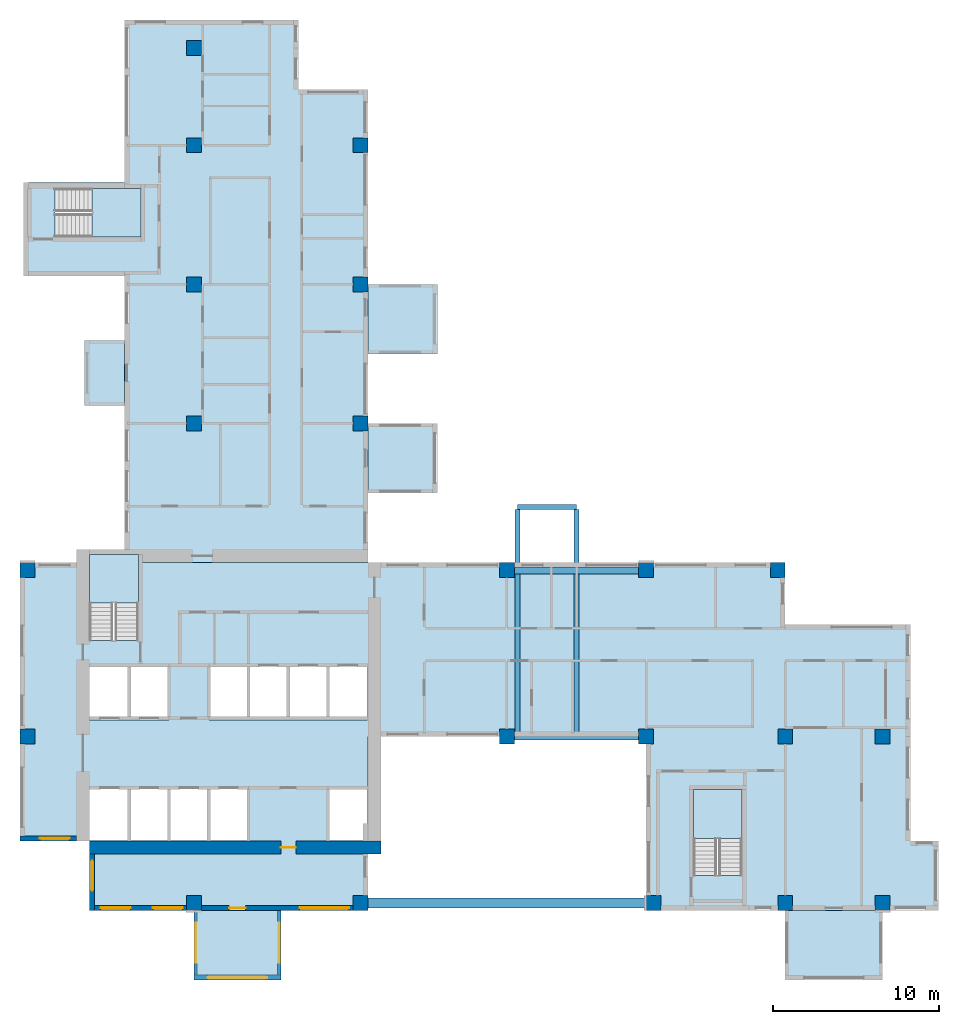
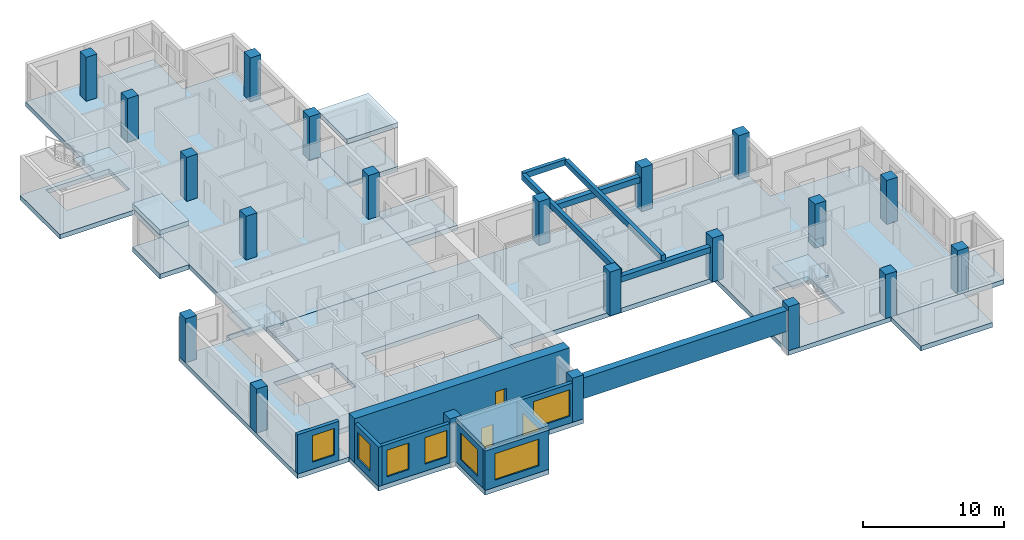
# One storey, part 1 of 11: 21 columns, 13 slabs, 8 walls, 8 windows, 6 beams, 2 doors, 10 openings, 3 elements without a shape of their own.
"""IFC4 building model written with IfcOpenShell, lengths in metres."""

from ifc_helpers import new_model, si_unit, direction, frame, frame_2d, origin, origin_2d, place, context, subcontext, project, spatial, polyline, rectangle, outline, extrude, source, transform, mapped, material, layer, layer_set, material_profile, profile_set, type_object, element, fill, aggregate, save


model = new_model("IFC4")

# Units and contexts
model_context = context("Model", 3, precision=1e-05, world=origin(), true_north=direction((0.0, 1.0)))
body_context = subcontext(model_context, "Body", "Model", "MODEL_VIEW")
ifc_project = project(units=[si_unit("LENGTHUNIT", "METRE"), si_unit("AREAUNIT", "SQUARE_METRE"), si_unit("VOLUMEUNIT", "CUBIC_METRE"), si_unit("PLANEANGLEUNIT", "RADIAN"), si_unit("MASSUNIT", "GRAM", prefix="KILO")], contexts=[model_context])

# Site, building, storey
site_placement = place(None, origin())
site = spatial("IfcSite", under=ifc_project, at=site_placement, CompositionType="ELEMENT")
building_placement = place(site_placement, origin())
building = spatial("IfcBuilding", under=site, at=building_placement, Name="Aurelian Terraces", CompositionType="ELEMENT")
storey_placement = place(building_placement, frame((0.0, 0.0, 212.0)))
storey = spatial("IfcBuildingStorey", under=building, at=storey_placement, Name="L47", CompositionType="ELEMENT", Elevation=212.0)

# Columns
ifc_material_1 = material(Name="Concrete fc' 70 MPa", Category="concrete")
ifc_material_profile_1 = material_profile(ifc_material_1, rectangle(XDim=0.9, YDim=0.9, at=origin_2d()))
ifc_profile_set_1 = profile_set([ifc_material_profile_1], Name="Concrete fc' 70 MPa")
column_type = type_object("IfcColumnType", Name="RC COLUMN 900X900 FC70", PredefinedType="COLUMN", material=ifc_profile_set_1)
shared_shape_1 = source(origin(), body_context, "Body", "SweptSolid", [
    extrude(rectangle(XDim=0.9, YDim=0.9, at=origin_2d()), origin(), (0.0, 0.0, 1.0), 3.8),
])
for number, where, z_axis, x_axis, name in (
    (1, (10.5, 0.45, 0.0), (0.0, 0.0, 1.0), (1.0, 0.0, 0.0), "Column 2/A L47"),
    (2, (20.55, 0.45, 0.0), (0.0, 0.0, 1.0), (1.0, 0.0, 0.0), "Column 3/A L47"),
    (3, (38.25, 0.45, 0.0), (0.0, 0.0, 1.0), (1.0, 0.0, 0.0), "Column 5/A L47"),
    (4, (46.2, 0.45, 0.0), (0.0, 0.0, 1.0), (1.0, 0.0, 0.0), "Column 6/A L47"),
    (5, (52.08, 0.45, 0.0), (0.0, 0.0, 1.0), (1.0, 0.0, 0.0), "Column 7/A L47"),
    (6, (0.45, 10.5, 0.0), (0.0, 0.0, 1.0), (1.0, 0.0, 0.0), "Column 1/B L47"),
    (7, (29.4, 10.5, 0.0), (0.0, 0.0, 1.0), (1.0, 0.0, 0.0), "Column 4/B L47"),
    (8, (37.8, 10.5, 0.0), (0.0, 0.0, 1.0), (1.0, 0.0, 0.0), "Column 5/B L47"),
    (9, (46.2, 10.5, 0.0), (0.0, 0.0, 1.0), (1.0, 0.0, 0.0), "Column 6/B L47"),
    (10, (52.08, 10.5, 0.0), (0.0, 0.0, 1.0), (1.0, 0.0, 0.0), "Column 7/B L47"),
    (11, (0.45, 20.55, 0.0), (0.0, 0.0, 1.0), (1.0, 0.0, 0.0), "Column 1/C L47"),
    (12, (29.4, 20.55, 0.0), (0.0, 0.0, 1.0), (1.0, 0.0, 0.0), "Column 4/C L47"),
    (13, (37.8, 20.55, 0.0), (0.0, 0.0, 1.0), (1.0, 0.0, 0.0), "Column 5/C L47"),
    (14, (45.75, 20.55, 0.0), (0.0, 0.0, 1.0), (1.0, 0.0, 0.0), "Column 6/C L47"),
    (15, (10.5, 29.4, 0.0), (0.0, 0.0, 1.0), (1.0, 0.0, 0.0), "Column 2/D L47"),
    (16, (20.55, 29.4, 0.0), (0.0, 0.0, 1.0), (1.0, 0.0, 0.0), "Column 3/D L47"),
    (17, (10.5, 37.8, 0.0), (0.0, 0.0, 1.0), (1.0, 0.0, 0.0), "Column 2/E L47"),
    (18, (20.55, 37.8, 0.0), (0.0, 0.0, 1.0), (1.0, 0.0, 0.0), "Column 3/E L47"),
    (19, (10.5, 46.2, 0.0), (0.0, 0.0, 1.0), (1.0, 0.0, 0.0), "Column 2/F L47"),
    (20, (20.55, 46.2, 0.0), (0.0, 0.0, 1.0), (1.0, 0.0, 0.0), "Column 3/F L47"),
    (21, (10.5, 52.08, 0.0), (0.0, 0.0, 1.0), (1.0, 0.0, 0.0), "Column 2/G L47"),
):
    element("IfcColumn", number, at=place(storey_placement, frame(where, z_axis=z_axis, x_axis=x_axis)), inside=storey, type_object=column_type, Name=name, PredefinedType="COLUMN", context=body_context, shape_type="MappedRepresentation", body=[
        mapped(shared_shape_1, transform((0.0, 0.0, 0.0), scale=1.0)),
    ])

# Beams
ifc_material_profile_2 = material_profile(ifc_material_1, rectangle(XDim=0.6, YDim=1.8, at=origin_2d()))
ifc_profile_set_2 = profile_set([ifc_material_profile_2], Name="Concrete fc' 70 MPa")
beam_type_1 = type_object("IfcBeamType", Name="CONCRETE HEAD GIRDER 600X1800", PredefinedType="BEAM", material=ifc_profile_set_2)
shared_shape_2 = source(origin(), body_context, "Body", "SweptSolid", [
    extrude(rectangle(XDim=0.6, YDim=1.8, at=origin_2d()), origin(), (0.0, 0.0, 1.0), 16.8),
])
beam_1_placement = place(storey_placement, frame((21.0, 0.45, 2.5), z_axis=(1.0, 0.0, 0.0), x_axis=(0.0, 1.0, 0.0)))
element("IfcBeam", 22, at=beam_1_placement, inside=storey, type_object=beam_type_1, Name="Sky terrace head girder SKY-07.1", PredefinedType="BEAM", context=body_context, shape_type="MappedRepresentation", body=[
    mapped(shared_shape_2, transform((0.0, 0.0, 0.0), scale=1.0)),
])
ifc_material_2 = material(Name="Concrete fc' 40 MPa", Category="concrete")
ifc_material_profile_3 = material_profile(ifc_material_2, rectangle(XDim=0.3, YDim=0.5, at=origin_2d()))
ifc_profile_set_3 = profile_set([ifc_material_profile_3], Name="Concrete fc' 40 MPa")
beam_type_2 = type_object("IfcBeamType", Name="CONCRETE CANTILEVER BEAM 300X500", PredefinedType="BEAM", material=ifc_profile_set_3)
shared_shape_3 = source(origin(), body_context, "Body", "SweptSolid", [
    extrude(rectangle(XDim=0.3, YDim=0.5, at=origin_2d()), origin(), (0.0, 0.0, 1.0), 13.7),
])
for number, where, z_axis, x_axis, name in (
    (23, (30.05, 24.2, 3.15), (0.0, -1.0, 0.0), (1.0, 0.0, 0.0), "Box cantilever beam J69.1"),
    (24, (33.6, 24.2, 3.15), (0.0, -1.0, 0.0), (1.0, 0.0, 0.0), "Box cantilever beam J69.2"),
):
    element("IfcBeam", number, at=place(storey_placement, frame(where, z_axis=z_axis, x_axis=x_axis)), inside=storey, type_object=beam_type_2, Name=name, PredefinedType="BEAM", context=body_context, shape_type="MappedRepresentation", body=[
        mapped(shared_shape_3, transform((0.0, 0.0, 0.0), scale=1.0)),
    ])
ifc_material_profile_4 = material_profile(ifc_material_2, rectangle(XDim=0.4, YDim=0.5, at=origin_2d()))
ifc_profile_set_4 = profile_set([ifc_material_profile_4], Name="Concrete fc' 40 MPa")
beam_type_3 = type_object("IfcBeamType", Name="CONCRETE EDGE GIRDER 400X500", PredefinedType="BEAM", material=ifc_profile_set_4)
shared_shape_4 = source(origin(), body_context, "Body", "SweptSolid", [
    extrude(rectangle(XDim=0.4, YDim=0.5, at=origin_2d()), origin(), (0.0, 0.0, 1.0), 7.5),
])
for number, where, z_axis, x_axis, name in (
    (25, (29.85, 20.5, 2.65), (1.0, 0.0, 0.0), (0.0, 1.0, 0.0), "Box girder L47 O138"),
    (26, (29.85, 10.5, 2.65), (1.0, 0.0, 0.0), (0.0, 1.0, 0.0), "Box girder L47 I139"),
):
    element("IfcBeam", number, at=place(storey_placement, frame(where, z_axis=z_axis, x_axis=x_axis)), inside=storey, type_object=beam_type_3, Name=name, PredefinedType="BEAM", context=body_context, shape_type="MappedRepresentation", body=[
        mapped(shared_shape_4, transform((0.0, 0.0, 0.0), scale=1.0)),
    ])
shared_shape_5 = source(origin(), body_context, "Body", "SweptSolid", [
    extrude(rectangle(XDim=0.3, YDim=0.5, at=origin_2d()), origin(), (0.0, 0.0, 1.0), 3.55),
])
beam_2_placement = place(storey_placement, frame((30.05, 24.35, 3.15), z_axis=(1.0, 0.0, 0.0), x_axis=(0.0, 1.0, 0.0)))
element("IfcBeam", 27, at=beam_2_placement, inside=storey, type_object=beam_type_2, Name="Box tip beam J69", PredefinedType="BEAM", context=body_context, shape_type="MappedRepresentation", body=[
    mapped(shared_shape_5, transform((0.0, 0.0, 0.0), scale=1.0)),
])

# Slabs
ifc_layer_1 = layer(ifc_material_2, 0.4)
ifc_layer_set_1 = layer_set([ifc_layer_1], Name="PT FLAT PLATE 400")
slab_type_1 = type_object("IfcSlabType", Name="PT FLAT PLATE 400", PredefinedType="FLOOR", material=ifc_layer_set_1)
shared_shape_6 = source(origin(), body_context, "Body", "SweptSolid", [
    extrude(outline(polyline([(6.3, 43.95), (6.3, 49.56), (6.3, 53.76), (10.5, 53.76), (16.8, 53.76), (16.8, 49.56), (21.0, 49.56), (21.0, 21.0), (7.14, 21.0), (7.14, 21.49), (4.21, 21.49), (4.21, 21.0), (4.2, 21.0), (4.2, 21.6), (6.3, 21.6), (6.3, 38.3), (0.2, 38.3), (0.2, 43.95), (6.3, 43.95)]), holes=[polyline([(7.29, 43.59), (2.11, 43.59), (2.11, 40.66), (7.29, 40.66), (7.29, 43.59)])]), origin(), (0.0, 0.0, 1.0), 0.4),
])
slab_1_placement = place(storey_placement, frame((0.0, 0.0, -0.4)))
element("IfcSlab", 28, at=slab_1_placement, inside=storey, type_object=slab_type_1, Name="Floor slab W L47", PredefinedType="FLOOR", context=body_context, shape_type="MappedRepresentation", body=[
    mapped(shared_shape_6, transform((0.0, 0.0, 0.0), scale=1.0)),
])
shared_shape_7 = source(origin(), body_context, "Body", "SweptSolid", [
    extrude(outline(polyline([(37.8, 10.5), (21.0, 10.5), (21.0, 0.0), (4.2, 0.0), (4.2, 4.2), (0.0, 4.2), (0.0, 21.0), (4.21, 21.0), (4.21, 16.31), (7.14, 16.31), (7.14, 21.0), (21.0, 21.0), (46.2, 21.0), (46.2, 17.25), (53.76, 17.25), (53.76, 4.2), (55.44, 4.2), (55.44, 0.0), (37.8, 0.0), (37.8, 10.5)]), holes=[polyline([(40.66, 2.11), (43.59, 2.11), (43.59, 7.29), (40.66, 7.29), (40.66, 2.11)]), polyline([(18.61, 7.49), (18.61, 4.21), (20.99, 4.21), (20.99, 7.49), (18.61, 7.49)]), polyline([(20.99, 14.89), (11.41, 14.89), (11.41, 11.51), (20.99, 11.51), (20.99, 14.89)]), polyline([(4.21, 7.49), (4.21, 4.21), (13.79, 4.21), (13.79, 7.49), (4.21, 7.49)]), polyline([(4.21, 14.89), (4.21, 11.51), (8.99, 11.51), (8.99, 14.89), (4.21, 14.89)])]), origin(), (0.0, 0.0, 1.0), 0.4),
])
slab_2_placement = place(storey_placement, frame((0.0, 0.0, -0.4)))
element("IfcSlab", 29, at=slab_2_placement, inside=storey, type_object=slab_type_1, Name="Floor slab S L47", PredefinedType="FLOOR", context=body_context, shape_type="MappedRepresentation", body=[
    mapped(shared_shape_7, transform((0.0, 0.0, 0.0), scale=1.0)),
])
ifc_layer_2 = layer(ifc_material_2, 0.41)
ifc_layer_set_2 = layer_set([ifc_layer_2], Name="Box floor 410")
slab_type_2 = type_object("IfcSlabType", Name="Box floor 410", PredefinedType="NOTDEFINED", material=ifc_layer_set_2)
shared_shape_8 = source(origin(), body_context, "Body", "SweptSolid", [
    extrude(outline(polyline([(46.2, -4.2), (52.08, -4.2), (52.08, 0.0), (46.2, 0.0), (46.2, -4.2)])), origin(), (0.0, 0.0, 1.0), 0.41),
])
slab_3_placement = place(storey_placement, frame((0.0, 0.0, -0.41)))
element("IfcSlab", 30, at=slab_3_placement, inside=storey, type_object=slab_type_2, Name="Box floor L47 J67", PredefinedType="NOTDEFINED", context=body_context, shape_type="MappedRepresentation", body=[
    mapped(shared_shape_8, transform((0.0, 0.0, 0.0), scale=1.0)),
])
shared_shape_9 = source(origin(), body_context, "Body", "SweptSolid", [
    extrude(outline(polyline([(25.2, 25.2), (25.2, 29.4), (21.0, 29.4), (21.0, 25.2), (25.2, 25.2)])), origin(), (0.0, 0.0, 1.0), 0.41),
])
slab_4_placement = place(storey_placement, frame((0.0, 0.0, -0.41)))
element("IfcSlab", 31, at=slab_4_placement, inside=storey, type_object=slab_type_2, Name="Box floor L47 J68", PredefinedType="NOTDEFINED", context=body_context, shape_type="MappedRepresentation", body=[
    mapped(shared_shape_9, transform((0.0, 0.0, 0.0), scale=1.0)),
])
shared_shape_10 = source(origin(), body_context, "Body", "SweptSolid", [
    extrude(outline(polyline([(25.2, 33.6), (25.2, 37.8), (21.0, 37.8), (21.0, 33.6), (25.2, 33.6)])), origin(), (0.0, 0.0, 1.0), 0.41),
])
slab_5_placement = place(storey_placement, frame((0.0, 0.0, -0.41)))
element("IfcSlab", 32, at=slab_5_placement, inside=storey, type_object=slab_type_2, Name="Box floor L47 J65", PredefinedType="NOTDEFINED", context=body_context, shape_type="MappedRepresentation", body=[
    mapped(shared_shape_10, transform((0.0, 0.0, 0.0), scale=1.0)),
])
ifc_layer_3 = layer(ifc_material_2, 0.4)
ifc_layer_set_3 = layer_set([ifc_layer_3], Name="Box roof 400")
slab_type_3 = type_object("IfcSlabType", Name="Box roof 400", PredefinedType="ROOF", material=ifc_layer_set_3)
shared_shape_11 = source(origin(), body_context, "Body", "SweptSolid", [
    extrude(outline(polyline([(25.2, 33.6), (25.2, 37.8), (21.0, 37.8), (21.0, 33.6), (25.2, 33.6)])), origin(), (0.0, 0.0, 1.0), 0.4),
])
slab_6_placement = place(storey_placement, frame((0.0, 0.0, 3.4)))
element("IfcSlab", 33, at=slab_6_placement, inside=storey, type_object=slab_type_3, Name="Box roof J65", PredefinedType="ROOF", context=body_context, shape_type="MappedRepresentation", body=[
    mapped(shared_shape_11, transform((0.0, 0.0, 0.0), scale=1.0)),
])
shared_shape_12 = source(origin(), body_context, "Body", "SweptSolid", [
    extrude(outline(polyline([(3.9, 34.4), (3.9, 30.5), (6.3, 30.5), (6.3, 34.4), (3.9, 34.4)])), origin(), (0.0, 0.0, 1.0), 0.41),
])
slab_7_placement = place(storey_placement, frame((0.0, 0.0, -0.41)))
element("IfcSlab", 34, at=slab_7_placement, inside=storey, type_object=slab_type_2, Name="Box floor L47 J66", PredefinedType="NOTDEFINED", context=body_context, shape_type="MappedRepresentation", body=[
    mapped(shared_shape_12, transform((0.0, 0.0, 0.0), scale=1.0)),
])
shared_shape_13 = source(origin(), body_context, "Body", "SweptSolid", [
    extrude(outline(polyline([(3.9, 34.4), (3.9, 30.5), (6.3, 30.5), (6.3, 34.4), (3.9, 34.4)])), origin(), (0.0, 0.0, 1.0), 0.4),
])
slab_8_placement = place(storey_placement, frame((0.0, 0.0, 3.4)))
element("IfcSlab", 35, at=slab_8_placement, inside=storey, type_object=slab_type_3, Name="Box roof J66", PredefinedType="ROOF", context=body_context, shape_type="MappedRepresentation", body=[
    mapped(shared_shape_13, transform((0.0, 0.0, 0.0), scale=1.0)),
])
shared_shape_14 = source(origin(), body_context, "Body", "SweptSolid", [
    extrude(outline(polyline([(10.5, -4.2), (15.75, -4.2), (15.75, 0.0), (10.5, 0.0), (10.5, -4.2)])), origin(), (0.0, 0.0, 1.0), 0.41),
])
slab_9_placement = place(storey_placement, frame((0.0, 0.0, -0.41)))
element("IfcSlab", 36, at=slab_9_placement, inside=storey, type_object=slab_type_2, Name="Box floor L47 J64", PredefinedType="NOTDEFINED", context=body_context, shape_type="MappedRepresentation", body=[
    mapped(shared_shape_14, transform((0.0, 0.0, 0.0), scale=1.0)),
])
shared_shape_15 = source(origin(), body_context, "Body", "SweptSolid", [
    extrude(outline(polyline([(10.5, -4.2), (15.75, -4.2), (15.75, 0.0), (10.5, 0.0), (10.5, -4.2)])), origin(), (0.0, 0.0, 1.0), 0.4),
])
slab_10_placement = place(storey_placement, frame((0.0, 0.0, 3.4)))
element("IfcSlab", 37, at=slab_10_placement, inside=storey, type_object=slab_type_3, Name="Box roof J64", PredefinedType="ROOF", context=body_context, shape_type="MappedRepresentation", body=[
    mapped(shared_shape_15, transform((0.0, 0.0, 0.0), scale=1.0)),
])

# Stair, slab
stair_type = type_object("IfcStairType", Name="Stair 1400", PredefinedType="HALF_TURN_STAIR", material=ifc_material_2)
stair_1_placement = place(storey_placement, origin())
stair_1 = element("IfcStair", 38, at=stair_1_placement, inside=storey, type_object=stair_type, Name="L47 S1", PredefinedType="HALF_TURN_STAIR")
ifc_layer_4 = layer(ifc_material_2, 0.2)
ifc_layer_set_4 = layer_set([ifc_layer_4], Name="Stair landing 200")
slab_type_4 = type_object("IfcSlabType", Name="Stair landing 200", PredefinedType="LANDING", material=ifc_layer_set_4)
shared_shape_16 = source(origin(), body_context, "Body", "SweptSolid", [
    extrude(outline(polyline([(7.15, 18.55), (7.15, 21.5), (4.2, 21.5), (4.2, 18.55), (7.15, 18.55)])), origin(), (0.0, 0.0, 1.0), 0.2),
])
slab_11_placement = place(storey_placement, frame((0.0, 0.0, 1.7)))
slab_11 = element("IfcSlab", 39, at=slab_11_placement, type_object=slab_type_4, Name="S1 landing 1", PredefinedType="LANDING", context=body_context, shape_type="MappedRepresentation", body=[
    mapped(shared_shape_16, transform((0.0, 0.0, 0.0), scale=1.0)),
])
aggregate(stair_1, [slab_11])

stair_2_placement = place(storey_placement, origin())
stair_2 = element("IfcStair", 40, at=stair_2_placement, inside=storey, type_object=stair_type, Name="L47 S2", PredefinedType="HALF_TURN_STAIR")
shared_shape_17 = source(origin(), body_context, "Body", "SweptSolid", [
    extrude(outline(polyline([(43.6, 4.35), (43.6, 7.3), (40.65, 7.3), (40.65, 4.35), (43.6, 4.35)])), origin(), (0.0, 0.0, 1.0), 0.2),
])
slab_12_placement = place(storey_placement, frame((0.0, 0.0, 1.7)))
slab_12 = element("IfcSlab", 41, at=slab_12_placement, type_object=slab_type_4, Name="S2 landing 1", PredefinedType="LANDING", context=body_context, shape_type="MappedRepresentation", body=[
    mapped(shared_shape_17, transform((0.0, 0.0, 0.0), scale=1.0)),
])
aggregate(stair_2, [slab_12])

stair_3_placement = place(storey_placement, origin())
stair_3 = element("IfcStair", 42, at=stair_3_placement, inside=storey, type_object=stair_type, Name="L47 S3", PredefinedType="HALF_TURN_STAIR")
shared_shape_18 = source(origin(), body_context, "Body", "SweptSolid", [
    extrude(outline(polyline([(4.35, 40.65), (7.3, 40.65), (7.3, 43.6), (4.35, 43.6), (4.35, 40.65)])), origin(), (0.0, 0.0, 1.0), 0.2),
])
slab_13_placement = place(storey_placement, frame((0.0, 0.0, 1.7)))
slab_13 = element("IfcSlab", 43, at=slab_13_placement, type_object=slab_type_4, Name="S3 landing 1", PredefinedType="LANDING", context=body_context, shape_type="MappedRepresentation", body=[
    mapped(shared_shape_18, transform((0.0, 0.0, 0.0), scale=1.0)),
])
aggregate(stair_3, [slab_13])

# Wall, opening, door
ifc_layer_5 = layer(ifc_material_1, 0.8)
ifc_layer_set_5 = layer_set([ifc_layer_5], Name="CORE WALL 800 FC70")
wall_type_1 = type_object("IfcWallType", Name="CORE WALL 800 FC70", PredefinedType="SHEAR", material=ifc_layer_set_5)
shared_shape_19 = source(origin(), body_context, "Body", "SweptSolid", [
    extrude(rectangle(XDim=17.6, YDim=0.8, at=frame_2d((8.8, 0.0))), origin(), (0.0, 0.0, 1.0), 3.8),
])
wall_1_placement = place(storey_placement, frame((4.2, 3.8, 0.0), z_axis=(0.0, 0.0, 1.0), x_axis=(1.0, 0.0, 0.0)))
wall_1 = element("IfcWall", 44, at=wall_1_placement, inside=storey, type_object=wall_type_1, Name="Core wall S L47", PredefinedType="SHEAR", context=body_context, shape_type="MappedRepresentation", body=[
    mapped(shared_shape_19, transform((0.0, 0.0, 0.0), scale=1.0)),
])
shared_shape_20 = source(origin(), body_context, "Body", "SweptSolid", [
    extrude(rectangle(XDim=0.9, YDim=2.1, at=frame_2d((0.45, 1.05))), frame((0.0, 0.41, 0.0), z_axis=(0.0, -1.0, 0.0), x_axis=(1.0, 0.0, 0.0)), (0.0, 0.0, 1.0), 0.82),
])
opening_1_placement = place(wall_1_placement, frame((11.55, 0.0, 0.0)))
opening_1 = element("IfcOpeningElement", 45, at=opening_1_placement, cuts=wall_1, Name="Opening 65024", PredefinedType="OPENING", context=body_context, shape_type="MappedRepresentation", body=[
    mapped(shared_shape_20, transform((0.0, 0.0, 0.0), scale=1.0)),
])
ifc_material_3 = material(Name="Steel door leaf", Category="steel")
door_type_1 = type_object("IfcDoorType", Name="Core service door 900x2100 right", OperationType="SINGLE_SWING_RIGHT", PredefinedType="DOOR", material=ifc_material_3)
shared_shape_21 = source(origin(), body_context, "Body", "SweptSolid", [
    extrude(rectangle(XDim=0.9, YDim=2.1, at=frame_2d((0.45, 1.05))), frame((0.0, 0.025, 0.0), z_axis=(0.0, -1.0, 0.0), x_axis=(1.0, 0.0, 0.0)), (0.0, 0.0, 1.0), 0.05),
])
door_1_placement = place(opening_1_placement, origin())
door_1 = element("IfcDoor", 46, at=door_1_placement, inside=storey, type_object=door_type_1, Name="Core door 65024", OperationType="SINGLE_SWING_RIGHT", OverallHeight=2.1, OverallWidth=0.9, PredefinedType="DOOR", context=body_context, shape_type="MappedRepresentation", body=[
    mapped(shared_shape_21, transform((0.0, 0.0, 0.0), scale=1.0)),
])
fill(opening_1, door_1)

# Wall, opening, window
ifc_material_4 = material(Name="Terracotta rainscreen cladding", Category="masonry")
ifc_layer_6 = layer(ifc_material_4, 0.3)
ifc_layer_set_6 = layer_set([ifc_layer_6], Name="EW-300")
wall_type_2 = type_object("IfcWallType", Name="EW-300", PredefinedType="STANDARD", material=ifc_layer_set_6)
shared_shape_22 = source(origin(), body_context, "Body", "SweptSolid", [
    extrude(rectangle(XDim=3.4, YDim=0.3, at=frame_2d((1.7, 0.0))), origin(), (0.0, 0.0, 1.0), 3.4),
])
wall_2_placement = place(storey_placement, frame((0.0, 4.35, 0.0), z_axis=(0.0, 0.0, 1.0), x_axis=(1.0, 0.0, 0.0)))
wall_2 = element("IfcWall", 47, at=wall_2_placement, inside=storey, type_object=wall_type_2, Name="External wall L47 F25.38", PredefinedType="STANDARD", context=body_context, shape_type="MappedRepresentation", body=[
    mapped(shared_shape_22, transform((0.0, 0.0, 0.0), scale=1.0)),
])
shared_shape_23 = source(origin(), body_context, "Body", "SweptSolid", [
    extrude(rectangle(XDim=1.8, YDim=2.3, at=frame_2d((0.9, 1.15))), frame((0.0, 0.16, 0.0), z_axis=(0.0, -1.0, 0.0), x_axis=(1.0, 0.0, 0.0)), (0.0, 0.0, 1.0), 0.32),
])
opening_2_placement = place(wall_2_placement, frame((1.2, 0.0, 0.6)))
opening_2 = element("IfcOpeningElement", 48, at=opening_2_placement, cuts=wall_2, Name="Opening W1823", PredefinedType="OPENING", context=body_context, shape_type="MappedRepresentation", body=[
    mapped(shared_shape_23, transform((0.0, 0.0, 0.0), scale=1.0)),
])
ifc_material_5 = material(Name="Clear glazing", Category="glass")
window_type_1 = type_object("IfcWindowType", Name="W-1800x2300", PartitioningType="SINGLE_PANEL", PredefinedType="WINDOW", material=ifc_material_5)
shared_shape_24 = source(origin(), body_context, "Body", "SweptSolid", [
    extrude(rectangle(XDim=1.8, YDim=2.3, at=frame_2d((0.9, 1.15))), frame((0.0, 0.03, 0.0), z_axis=(0.0, -1.0, 0.0), x_axis=(1.0, 0.0, 0.0)), (0.0, 0.0, 1.0), 0.06),
])
window_1_placement = place(opening_2_placement, origin())
window_1 = element("IfcWindow", 49, at=window_1_placement, inside=storey, type_object=window_type_1, Name="Window L47 L47-F25-38-0", OverallHeight=2.3, OverallWidth=1.8, PartitioningType="SINGLE_PANEL", PredefinedType="WINDOW", context=body_context, shape_type="MappedRepresentation", body=[
    mapped(shared_shape_24, transform((0.0, 0.0, 0.0), scale=1.0)),
])
fill(opening_2, window_1)

wall_3_placement = place(storey_placement, frame((4.35, 3.4, 0.0), z_axis=(0.0, 0.0, 1.0), x_axis=(0.0, -1.0, 0.0)))
wall_3 = element("IfcWall", 50, at=wall_3_placement, inside=storey, type_object=wall_type_2, Name="External wall L47 F26.39", PredefinedType="STANDARD", context=body_context, shape_type="MappedRepresentation", body=[
    mapped(shared_shape_22, transform((0.0, 0.0, 0.0), scale=1.0)),
])
opening_3_placement = place(wall_3_placement, frame((0.4, 0.0, 0.6)))
opening_3 = element("IfcOpeningElement", 51, at=opening_3_placement, cuts=wall_3, Name="Opening W1823", PredefinedType="OPENING", context=body_context, shape_type="MappedRepresentation", body=[
    mapped(shared_shape_23, transform((0.0, 0.0, 0.0), scale=1.0)),
])
window_2_placement = place(opening_3_placement, origin())
window_2 = element("IfcWindow", 52, at=window_2_placement, inside=storey, type_object=window_type_1, Name="Window L47 L47-F26-39-0", OverallHeight=2.3, OverallWidth=1.8, PartitioningType="SINGLE_PANEL", PredefinedType="WINDOW", context=body_context, shape_type="MappedRepresentation", body=[
    mapped(shared_shape_24, transform((0.0, 0.0, 0.0), scale=1.0)),
])
fill(opening_3, window_2)

ifc_layer_7 = layer(ifc_material_2, 0.2)
ifc_layer_set_7 = layer_set([ifc_layer_7], Name="BOX BEARING WALL 200")
wall_type_3 = type_object("IfcWallType", Name="BOX BEARING WALL 200", PredefinedType="SOLIDWALL", material=ifc_layer_set_7)
shared_shape_25 = source(origin(), body_context, "Body", "SweptSolid", [
    extrude(rectangle(XDim=3.9, YDim=0.2, at=frame_2d((1.95, 0.0))), origin(), (0.0, 0.0, 1.0), 3.4),
])
wall_4_placement = place(storey_placement, frame((10.6, 0.0, 0.0), z_axis=(0.0, 0.0, 1.0), x_axis=(0.0, -1.0, 0.0)))
wall_4 = element("IfcWall", 53, at=wall_4_placement, inside=storey, type_object=wall_type_3, Name="Box return L47 J64.1", PredefinedType="SOLIDWALL", context=body_context, shape_type="MappedRepresentation", body=[
    mapped(shared_shape_25, transform((0.0, 0.0, 0.0), scale=1.0)),
])
shared_shape_26 = source(origin(), body_context, "Body", "SweptSolid", [
    extrude(rectangle(XDim=2.4, YDim=2.3, at=frame_2d((1.2, 1.15))), frame((0.0, 0.11, 0.0), z_axis=(0.0, -1.0, 0.0), x_axis=(1.0, 0.0, 0.0)), (0.0, 0.0, 1.0), 0.22),
])
opening_4_placement = place(wall_4_placement, frame((0.75, 0.0, 0.6)))
opening_4 = element("IfcOpeningElement", 54, at=opening_4_placement, cuts=wall_4, Name="Opening W2423", PredefinedType="OPENING", context=body_context, shape_type="MappedRepresentation", body=[
    mapped(shared_shape_26, transform((0.0, 0.0, 0.0), scale=1.0)),
])
window_type_2 = type_object("IfcWindowType", Name="W-2400x2300", PartitioningType="SINGLE_PANEL", PredefinedType="WINDOW", material=ifc_material_5)
shared_shape_27 = source(origin(), body_context, "Body", "SweptSolid", [
    extrude(rectangle(XDim=2.4, YDim=2.3, at=frame_2d((1.2, 1.15))), frame((0.0, 0.03, 0.0), z_axis=(0.0, -1.0, 0.0), x_axis=(1.0, 0.0, 0.0)), (0.0, 0.0, 1.0), 0.06),
])
window_3_placement = place(opening_4_placement, origin())
window_3 = element("IfcWindow", 55, at=window_3_placement, inside=storey, type_object=window_type_2, Name="Window L47 J64-S1", OverallHeight=2.3, OverallWidth=2.4, PartitioningType="SINGLE_PANEL", PredefinedType="WINDOW", context=body_context, shape_type="MappedRepresentation", body=[
    mapped(shared_shape_27, transform((0.0, 0.0, 0.0), scale=1.0)),
])
fill(opening_4, window_3)

wall_5_placement = place(storey_placement, frame((15.65, 0.0, 0.0), z_axis=(0.0, 0.0, 1.0), x_axis=(0.0, -1.0, 0.0)))
wall_5 = element("IfcWall", 56, at=wall_5_placement, inside=storey, type_object=wall_type_3, Name="Box return L47 J64.2", PredefinedType="SOLIDWALL", context=body_context, shape_type="MappedRepresentation", body=[
    mapped(shared_shape_25, transform((0.0, 0.0, 0.0), scale=1.0)),
])
opening_5_placement = place(wall_5_placement, frame((0.75, 0.0, 0.6)))
opening_5 = element("IfcOpeningElement", 57, at=opening_5_placement, cuts=wall_5, Name="Opening W2423", PredefinedType="OPENING", context=body_context, shape_type="MappedRepresentation", body=[
    mapped(shared_shape_26, transform((0.0, 0.0, 0.0), scale=1.0)),
])
window_4_placement = place(opening_5_placement, origin())
window_4 = element("IfcWindow", 58, at=window_4_placement, inside=storey, type_object=window_type_2, Name="Window L47 J64-S2", OverallHeight=2.3, OverallWidth=2.4, PartitioningType="SINGLE_PANEL", PredefinedType="WINDOW", context=body_context, shape_type="MappedRepresentation", body=[
    mapped(shared_shape_27, transform((0.0, 0.0, 0.0), scale=1.0)),
])
fill(opening_5, window_4)

# Wall, openings, window, door
shared_shape_28 = source(origin(), body_context, "Body", "SweptSolid", [
    extrude(rectangle(XDim=9.15, YDim=0.3, at=frame_2d((4.575, 0.0))), origin(), (0.0, 0.0, 1.0), 3.4),
])
wall_6_placement = place(storey_placement, frame((10.95, 0.15, 0.0), z_axis=(0.0, 0.0, 1.0), x_axis=(1.0, 0.0, 0.0)))
wall_6 = element("IfcWall", 59, at=wall_6_placement, inside=storey, type_object=wall_type_2, Name="External wall L47 F01.2", PredefinedType="STANDARD", context=body_context, shape_type="MappedRepresentation", body=[
    mapped(shared_shape_28, transform((0.0, 0.0, 0.0), scale=1.0)),
])
shared_shape_29 = source(origin(), body_context, "Body", "SweptSolid", [
    extrude(rectangle(XDim=3.0, YDim=2.3, at=frame_2d((1.5, 1.15))), frame((0.0, 0.16, 0.0), z_axis=(0.0, -1.0, 0.0), x_axis=(1.0, 0.0, 0.0)), (0.0, 0.0, 1.0), 0.32),
])
opening_6_placement = place(wall_6_placement, frame((5.925, 0.0, 0.6)))
opening_6 = element("IfcOpeningElement", 60, at=opening_6_placement, cuts=wall_6, Name="Opening W3023", PredefinedType="OPENING", context=body_context, shape_type="MappedRepresentation", body=[
    mapped(shared_shape_29, transform((0.0, 0.0, 0.0), scale=1.0)),
])
shared_shape_30 = source(origin(), body_context, "Body", "SweptSolid", [
    extrude(rectangle(XDim=1.0, YDim=2.1, at=frame_2d((0.5, 1.05))), frame((0.0, 0.16, 0.0), z_axis=(0.0, -1.0, 0.0), x_axis=(1.0, 0.0, 0.0)), (0.0, 0.0, 1.0), 0.32),
])
opening_7_placement = place(wall_6_placement, frame((1.675, 0.0, 0.0)))
opening_7 = element("IfcOpeningElement", 61, at=opening_7_placement, cuts=wall_6, Name="Opening 847001", PredefinedType="OPENING", context=body_context, shape_type="MappedRepresentation", body=[
    mapped(shared_shape_30, transform((0.0, 0.0, 0.0), scale=1.0)),
])
window_type_3 = type_object("IfcWindowType", Name="W-3000x2300", PartitioningType="SINGLE_PANEL", PredefinedType="WINDOW", material=ifc_material_5)
shared_shape_31 = source(origin(), body_context, "Body", "SweptSolid", [
    extrude(rectangle(XDim=3.0, YDim=2.3, at=frame_2d((1.5, 1.15))), frame((0.0, 0.03, 0.0), z_axis=(0.0, -1.0, 0.0), x_axis=(1.0, 0.0, 0.0)), (0.0, 0.0, 1.0), 0.06),
])
window_5_placement = place(opening_6_placement, origin())
window_5 = element("IfcWindow", 62, at=window_5_placement, inside=storey, type_object=window_type_3, Name="Window L47 L47-F01-02-1", OverallHeight=2.3, OverallWidth=3.0, PartitioningType="SINGLE_PANEL", PredefinedType="WINDOW", context=body_context, shape_type="MappedRepresentation", body=[
    mapped(shared_shape_31, transform((0.0, 0.0, 0.0), scale=1.0)),
])
fill(opening_6, window_5)
ifc_material_6 = material(Name="Timber door leaf", Category="wood")
door_type_2 = type_object("IfcDoorType", Name="Room door 1000x2100 left", OperationType="SINGLE_SWING_LEFT", PredefinedType="DOOR", material=ifc_material_6)
shared_shape_32 = source(origin(), body_context, "Body", "SweptSolid", [
    extrude(rectangle(XDim=1.0, YDim=2.1, at=frame_2d((0.5, 1.05))), frame((0.0, 0.025, 0.0), z_axis=(0.0, -1.0, 0.0), x_axis=(1.0, 0.0, 0.0)), (0.0, 0.0, 1.0), 0.05),
])
door_2_placement = place(opening_7_placement, origin())
door_2 = element("IfcDoor", 63, at=door_2_placement, inside=storey, type_object=door_type_2, Name="Door 847001", OperationType="SINGLE_SWING_LEFT", OverallHeight=2.1, OverallWidth=1.0, PredefinedType="DOOR", context=body_context, shape_type="MappedRepresentation", body=[
    mapped(shared_shape_32, transform((0.0, 0.0, 0.0), scale=1.0)),
])
fill(opening_7, door_2)

# Wall, openings, windows
shared_shape_33 = source(origin(), body_context, "Body", "SweptSolid", [
    extrude(rectangle(XDim=5.85, YDim=0.3, at=frame_2d((2.925, 0.0))), origin(), (0.0, 0.0, 1.0), 3.4),
])
wall_7_placement = place(storey_placement, frame((4.2, 0.15, 0.0), z_axis=(0.0, 0.0, 1.0), x_axis=(1.0, 0.0, 0.0)))
wall_7 = element("IfcWall", 64, at=wall_7_placement, inside=storey, type_object=wall_type_2, Name="External wall L47 F01.1", PredefinedType="STANDARD", context=body_context, shape_type="MappedRepresentation", body=[
    mapped(shared_shape_33, transform((0.0, 0.0, 0.0), scale=1.0)),
])
opening_8_placement = place(wall_7_placement, frame((0.675, 0.0, 0.6)))
opening_8 = element("IfcOpeningElement", 65, at=opening_8_placement, cuts=wall_7, Name="Opening W1823", PredefinedType="OPENING", context=body_context, shape_type="MappedRepresentation", body=[
    mapped(shared_shape_23, transform((0.0, 0.0, 0.0), scale=1.0)),
])
opening_9_placement = place(wall_7_placement, frame((3.825, 0.0, 0.6)))
opening_9 = element("IfcOpeningElement", 66, at=opening_9_placement, cuts=wall_7, Name="Opening W1823", PredefinedType="OPENING", context=body_context, shape_type="MappedRepresentation", body=[
    mapped(shared_shape_23, transform((0.0, 0.0, 0.0), scale=1.0)),
])
window_6_placement = place(opening_8_placement, origin())
window_6 = element("IfcWindow", 67, at=window_6_placement, inside=storey, type_object=window_type_1, Name="Window L47 L47-F01-01-0", OverallHeight=2.3, OverallWidth=1.8, PartitioningType="SINGLE_PANEL", PredefinedType="WINDOW", context=body_context, shape_type="MappedRepresentation", body=[
    mapped(shared_shape_24, transform((0.0, 0.0, 0.0), scale=1.0)),
])
fill(opening_8, window_6)
window_7_placement = place(opening_9_placement, origin())
window_7 = element("IfcWindow", 68, at=window_7_placement, inside=storey, type_object=window_type_1, Name="Window L47 L47-F01-01-1", OverallHeight=2.3, OverallWidth=1.8, PartitioningType="SINGLE_PANEL", PredefinedType="WINDOW", context=body_context, shape_type="MappedRepresentation", body=[
    mapped(shared_shape_24, transform((0.0, 0.0, 0.0), scale=1.0)),
])
fill(opening_9, window_7)

# Wall, opening, window
ifc_layer_8 = layer(ifc_material_2, 0.3)
ifc_layer_set_8 = layer_set([ifc_layer_8], Name="BOX BEARING WALL 300")
wall_type_4 = type_object("IfcWallType", Name="BOX BEARING WALL 300", PredefinedType="SOLIDWALL", material=ifc_layer_set_8)
shared_shape_34 = source(origin(), body_context, "Body", "SweptSolid", [
    extrude(rectangle(XDim=5.25, YDim=0.3, at=frame_2d((2.625, 0.0))), origin(), (0.0, 0.0, 1.0), 3.4),
])
wall_8_placement = place(storey_placement, frame((10.5, -4.05, 0.0), z_axis=(0.0, 0.0, 1.0), x_axis=(1.0, 0.0, 0.0)))
wall_8 = element("IfcWall", 69, at=wall_8_placement, inside=storey, type_object=wall_type_4, Name="Box wall L47 J64", PredefinedType="SOLIDWALL", context=body_context, shape_type="MappedRepresentation", body=[
    mapped(shared_shape_34, transform((0.0, 0.0, 0.0), scale=1.0)),
])
shared_shape_35 = source(origin(), body_context, "Body", "SweptSolid", [
    extrude(rectangle(XDim=3.6, YDim=2.3, at=frame_2d((1.8, 1.15))), frame((0.0, 0.16, 0.0), z_axis=(0.0, -1.0, 0.0), x_axis=(1.0, 0.0, 0.0)), (0.0, 0.0, 1.0), 0.32),
])
opening_10_placement = place(wall_8_placement, frame((0.825, 0.0, 0.6)))
opening_10 = element("IfcOpeningElement", 70, at=opening_10_placement, cuts=wall_8, Name="Opening W3623", PredefinedType="OPENING", context=body_context, shape_type="MappedRepresentation", body=[
    mapped(shared_shape_35, transform((0.0, 0.0, 0.0), scale=1.0)),
])
window_type_4 = type_object("IfcWindowType", Name="W-3600x2300", PartitioningType="SINGLE_PANEL", PredefinedType="WINDOW", material=ifc_material_5)
shared_shape_36 = source(origin(), body_context, "Body", "SweptSolid", [
    extrude(rectangle(XDim=3.6, YDim=2.3, at=frame_2d((1.8, 1.15))), frame((0.0, 0.03, 0.0), z_axis=(0.0, -1.0, 0.0), x_axis=(1.0, 0.0, 0.0)), (0.0, 0.0, 1.0), 0.06),
])
window_8_placement = place(opening_10_placement, origin())
window_8 = element("IfcWindow", 71, at=window_8_placement, inside=storey, type_object=window_type_4, Name="Window L47 J64-F1", OverallHeight=2.3, OverallWidth=3.6, PartitioningType="SINGLE_PANEL", PredefinedType="WINDOW", context=body_context, shape_type="MappedRepresentation", body=[
    mapped(shared_shape_36, transform((0.0, 0.0, 0.0), scale=1.0)),
])
fill(opening_10, window_8)

save(model, "model.ifc")
